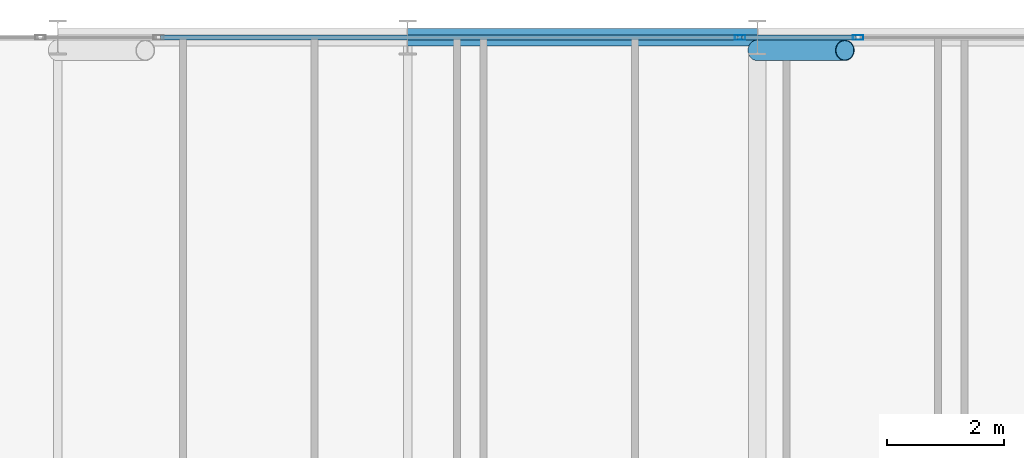
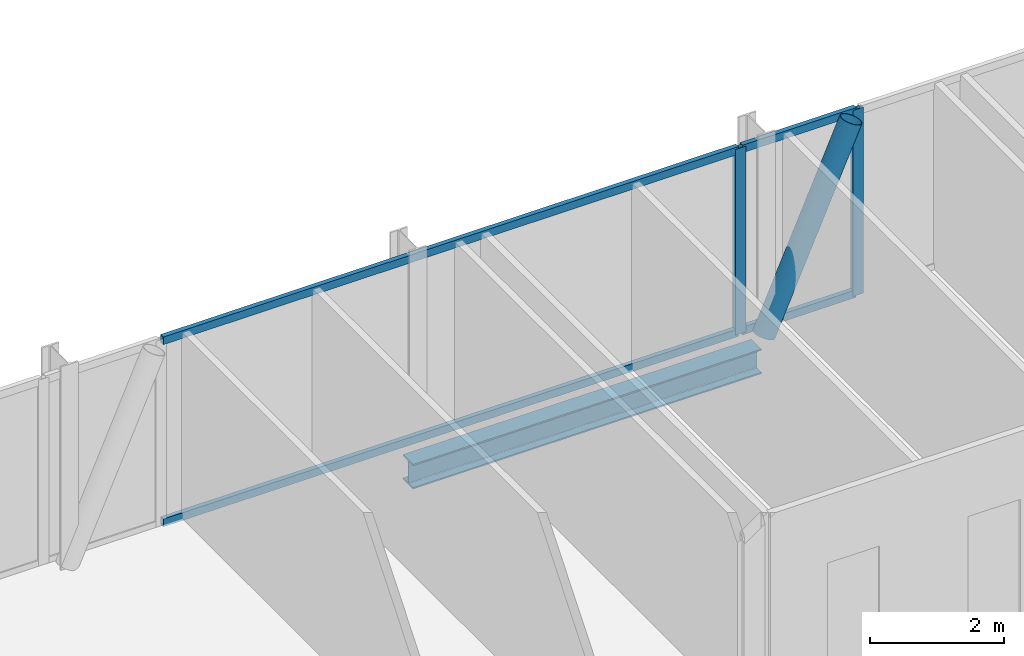
# One storey, part 17 of 29: 7 members, 1 beam, 2 elements without a shape of their own.
"""IFC4 building model written with IfcOpenShell, lengths in metres."""

from ifc_helpers import new_model, si_unit, direction, frame, origin, origin_2d, place, context, subcontext, project, spatial, hollow_rectangle, hollow_circle, i_section, extrude, material, layer, layer_set, material_profile, profile_set, type_object, element, aggregate, save


model = new_model("IFC4")

# Units and contexts
model_context = context("Model", 3, precision=1e-05, world=origin(), true_north=direction((0.0, 1.0)))
body_context = subcontext(model_context, "Body", "Model", "MODEL_VIEW")
ifc_project = project(units=[si_unit("LENGTHUNIT", "METRE"), si_unit("AREAUNIT", "SQUARE_METRE"), si_unit("VOLUMEUNIT", "CUBIC_METRE"), si_unit("PLANEANGLEUNIT", "RADIAN"), si_unit("MASSUNIT", "GRAM", prefix="KILO")], contexts=[model_context])

# Site, building, storey
site_placement = place(None, origin())
site = spatial("IfcSite", under=ifc_project, at=site_placement, CompositionType="ELEMENT")
building_placement = place(site_placement, origin())
building = spatial("IfcBuilding", under=site, at=building_placement, Name="Keshet Zoharim Tower", CompositionType="ELEMENT")
storey_placement = place(building_placement, frame((0.0, 0.0, 105.699951171875)))
storey = spatial("IfcBuildingStorey", under=building, at=storey_placement, Name="L25", CompositionType="ELEMENT", Elevation=105.699951171875)

# Beam
ifc_material_1 = material(Name="Steel S355", Category="steel")
ifc_material_profile_1 = material_profile(ifc_material_1, i_section(OverallWidth=0.300048828125, OverallDepth=0.449951171875, WebThickness=0.013916015625, FlangeThickness=0.02587890625, FilletRadius=0.027099609375, at=origin_2d()), Name="HEB450")
ifc_profile_set_1 = profile_set([ifc_material_profile_1], Name="Steel S355")
beam_type = type_object("IfcBeamType", Name="BM-WEB-HB450", PredefinedType="BEAM", material=ifc_profile_set_1)
beam_placement = place(storey_placement, frame((27.0, 53.89990234375, -0.5400390625), z_axis=(1.0, 0.0, 0.0), x_axis=(0.0, 1.0, 0.0)))
element("IfcBeam", 1, at=beam_placement, inside=storey, type_object=beam_type, Name="L25 Primary Girder X-020", PredefinedType="BEAM", context=body_context, shape_type="SweptSolid", body=[
    extrude(i_section(OverallWidth=0.300048828125, OverallDepth=0.449951171875, WebThickness=0.013916015625, FlangeThickness=0.02587890625, FilletRadius=0.027099609375, at=origin_2d()), origin(), (0.0, 0.0, 1.0), 6.0),
])

# Curtain wall, member
ifc_material_2 = material(Name="Aluminium 6063-T6", Category="aluminium")
ifc_layer = layer(ifc_material_2, 0.159912109375)
ifc_layer_set = layer_set([ifc_layer], Name="Aluminium 6063-T6")
curtain_wall_type = type_object("IfcCurtainWallType", Name="CW-SYS-03", PredefinedType="NOTDEFINED", material=ifc_layer_set)
curtain_wall_1_placement = place(storey_placement, origin())
curtain_wall_1 = element("IfcCurtainWall", 2, at=curtain_wall_1_placement, inside=storey, type_object=curtain_wall_type, Name="L25 Unitised Curtain Wall 13 Part 3", PredefinedType="NOTDEFINED")
ifc_material_profile_2 = material_profile(ifc_material_2, hollow_rectangle(XDim=0.080078125, YDim=0.179931640625, WallThickness=0.00439453125, at=origin_2d()), Name="MUL-80x180")
ifc_profile_set_2 = profile_set([ifc_material_profile_2], Name="Aluminium 6063-T6")
member_type_1 = type_object("IfcMemberType", Name="CWM-M18", PredefinedType="MULLION", material=ifc_profile_set_2)
member_1_placement = place(storey_placement, frame((32.702392578125, 53.89990234375, 0.0), z_axis=(0.0, 0.0, 1.0), x_axis=(0.0, 1.0, 0.0)))
member_1 = element("IfcMember", 3, at=member_1_placement, type_object=member_type_1, Name="CW-03 mullion 2", PredefinedType="MULLION", context=body_context, shape_type="SweptSolid", body=[
    extrude(hollow_rectangle(XDim=0.080078125, YDim=0.179931640625, WallThickness=0.00439453125, at=origin_2d()), origin(), (0.0, 0.0, 1.0), 3.385009765625),
])

curtain_wall_2_placement = place(storey_placement, origin())
curtain_wall_2 = element("IfcCurtainWall", 4, at=curtain_wall_2_placement, inside=storey, type_object=curtain_wall_type, Name="L25 Unitised Curtain Wall 13 Part 4", PredefinedType="NOTDEFINED")
member_2_placement = place(storey_placement, frame((34.7275390625, 53.89990234375, 0.0), z_axis=(0.0, 0.0, 1.0), x_axis=(0.0, 1.0, 0.0)))
member_2 = element("IfcMember", 5, at=member_2_placement, type_object=member_type_1, Name="CW-03 mullion 2", PredefinedType="MULLION", context=body_context, shape_type="SweptSolid", body=[
    extrude(hollow_rectangle(XDim=0.080078125, YDim=0.179931640625, WallThickness=0.00439453125, at=origin_2d()), origin(), (0.0, 0.0, 1.0), 3.385009765625),
])

# Member
ifc_material_profile_3 = material_profile(ifc_material_2, hollow_rectangle(XDim=0.080078125, YDim=0.139892578125, WallThickness=0.00390625, at=origin_2d()), Name="TRN-80x140")
ifc_profile_set_3 = profile_set([ifc_material_profile_3], Name="Aluminium 6063-T6")
member_type_2 = type_object("IfcMemberType", Name="CWT-T14", PredefinedType="USERDEFINED", material=ifc_profile_set_3)
member_3_placement = place(storey_placement, frame((22.7626953125, 53.89990234375, 0.03515625), z_axis=(1.0, 0.0, 0.0), x_axis=(0.0, 1.0, 0.0)))
member_3 = element("IfcMember", 6, at=member_3_placement, type_object=member_type_2, Name="CW-03 transom 1.1", ObjectType="TRANSOM", PredefinedType="USERDEFINED", context=body_context, shape_type="SweptSolid", body=[
    extrude(hollow_rectangle(XDim=0.080078125, YDim=0.139892578125, WallThickness=0.00390625, at=origin_2d()), origin(), (0.0, 0.0, 1.0), 9.90478515625),
])

member_4_placement = place(storey_placement, frame((22.7626953125, 53.89990234375, 3.35009765625), z_axis=(1.0, 0.0, 0.0), x_axis=(0.0, 1.0, 0.0)))
member_4 = element("IfcMember", 7, at=member_4_placement, type_object=member_type_2, Name="CW-03 transom 1.2", ObjectType="TRANSOM", PredefinedType="USERDEFINED", context=body_context, shape_type="SweptSolid", body=[
    extrude(hollow_rectangle(XDim=0.080078125, YDim=0.139892578125, WallThickness=0.00390625, at=origin_2d()), origin(), (0.0, 0.0, 1.0), 9.90478515625),
])

aggregate(curtain_wall_1, [member_1, member_3, member_4])

member_5_placement = place(storey_placement, frame((32.7373046875, 53.89990234375, 0.03515625), z_axis=(1.0, 0.0, 0.0), x_axis=(0.0, 1.0, 0.0)))
member_5 = element("IfcMember", 8, at=member_5_placement, type_object=member_type_2, Name="CW-03 transom 1.1", ObjectType="TRANSOM", PredefinedType="USERDEFINED", context=body_context, shape_type="SweptSolid", body=[
    extrude(hollow_rectangle(XDim=0.080078125, YDim=0.139892578125, WallThickness=0.00390625, at=origin_2d()), origin(), (0.0, 0.0, 1.0), 1.955322265625),
])

member_6_placement = place(storey_placement, frame((32.7373046875, 53.89990234375, 3.35009765625), z_axis=(1.0, 0.0, 0.0), x_axis=(0.0, 1.0, 0.0)))
member_6 = element("IfcMember", 9, at=member_6_placement, type_object=member_type_2, Name="CW-03 transom 1.2", ObjectType="TRANSOM", PredefinedType="USERDEFINED", context=body_context, shape_type="SweptSolid", body=[
    extrude(hollow_rectangle(XDim=0.080078125, YDim=0.139892578125, WallThickness=0.00390625, at=origin_2d()), origin(), (0.0, 0.0, 1.0), 1.955322265625),
])

aggregate(curtain_wall_2, [member_2, member_5, member_6])

ifc_material_profile_4 = material_profile(ifc_material_1, hollow_circle(Radius=0.177734375, WallThickness=0.012451171875, at=origin_2d()), Name="CHS355x12.5")
ifc_profile_set_4 = profile_set([ifc_material_profile_4], Name="Steel S355")
member_type_3 = type_object("IfcMemberType", Name="MB-BR-C355", PredefinedType="BRACE", material=ifc_profile_set_4)
member_7_placement = place(storey_placement, frame((33.0, 53.679931640625, 0.0), z_axis=(0.405134846829, 0.0, 0.91425694194), x_axis=(0.0, 1.0, 0.0)))
element("IfcMember", 10, at=member_7_placement, inside=storey, type_object=member_type_3, Name="L25 Perimeter Tube Brace 03", PredefinedType="BRACE", context=body_context, shape_type="SweptSolid", body=[
    extrude(hollow_circle(Radius=0.177734375, WallThickness=0.012451171875, at=origin_2d()), origin(), (0.0, 0.0, 1.0), 3.702392578125),
])

save(model, "model.ifc")
